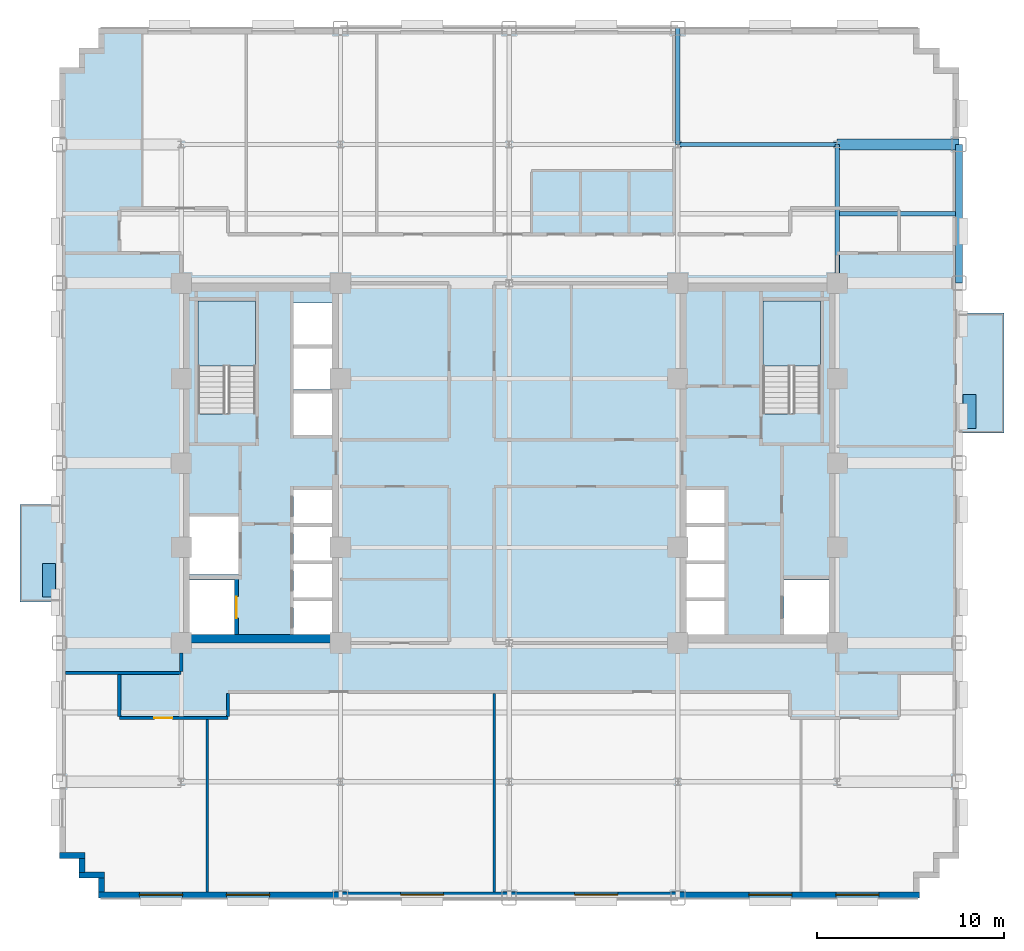
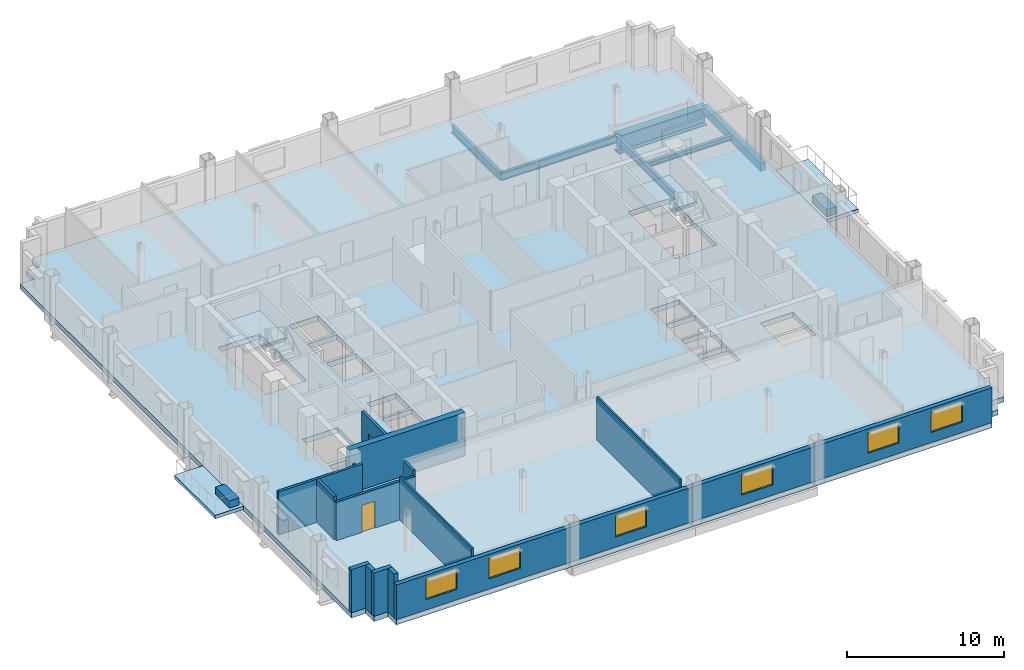
# One storey, part 5 of 15: 14 walls, 6 beams, 6 windows, 5 slabs, 2 doors, 2 plates, 8 openings, 2 elements without a shape of their own.
"""IFC4 building model written with IfcOpenShell, lengths in metres."""

from ifc_helpers import new_model, si_unit, direction, frame, frame_2d, origin, origin_2d, place, context, subcontext, project, spatial, polyline, rectangle, i_section, outline, extrude, source, transform, mapped, material, layer, layer_set, material_profile, profile_set, type_object, type_shapes, element, fill, aggregate, save


model = new_model("IFC4")

# Units and contexts
model_context = context("Model", 3, precision=1e-05, world=origin(), true_north=direction((0.0, 1.0)))
body_context = subcontext(model_context, "Body", "Model", "MODEL_VIEW")
ifc_project = project(units=[si_unit("LENGTHUNIT", "METRE"), si_unit("AREAUNIT", "SQUARE_METRE"), si_unit("VOLUMEUNIT", "CUBIC_METRE"), si_unit("PLANEANGLEUNIT", "RADIAN"), si_unit("MASSUNIT", "GRAM", prefix="KILO")], contexts=[model_context])

# Site, building, storey
site_placement = place(None, origin())
site = spatial("IfcSite", under=ifc_project, at=site_placement, CompositionType="ELEMENT")
building_placement = place(site_placement, origin())
building = spatial("IfcBuilding", under=site, at=building_placement, Name="Nuvemarco Arch Tower", CompositionType="ELEMENT")
storey_placement = place(building_placement, frame((0.0, 0.0, 86.0)))
storey = spatial("IfcBuildingStorey", under=building, at=storey_placement, Name="L22", CompositionType="ELEMENT", Elevation=86.0)

# Beams
ifc_material_1 = material(Name="Steel S355", Category="steel")
ifc_material_profile_1 = material_profile(ifc_material_1, i_section(OverallWidth=0.22998046875, OverallDepth=0.616943359375, WebThickness=0.01318359375, FlangeThickness=0.022216796875, FilletRadius=0.01611328125, at=origin_2d()), Name="W610x140")
ifc_profile_set_1 = profile_set([ifc_material_profile_1], Name="Steel S355")
beam_type_1 = type_object("IfcBeamType", Name="BM-GIRD-610", PredefinedType="BEAM", material=ifc_profile_set_1)
beam_1_placement = place(storey_placement, frame((9.0, 17.0, -0.70849609375), z_axis=(0.0, 1.0, 0.0), x_axis=(-1.0, 0.0, 0.0)))
element("IfcBeam", 1, at=beam_1_placement, inside=storey, type_object=beam_type_1, Name="L22 structural beam BGNS_L22_0_+9.0_+17.0", PredefinedType="BEAM", context=body_context, shape_type="SweptSolid", body=[
    extrude(i_section(OverallWidth=0.22998046875, OverallDepth=0.616943359375, WebThickness=0.01318359375, FlangeThickness=0.022216796875, FilletRadius=0.01611328125, at=origin_2d()), origin(), (0.0, 0.0, 1.0), 6.199951171875),
])
beam_2_placement = place(storey_placement, frame((17.5, 9.60009765625, -0.70849609375), z_axis=(0.0, 1.0, 0.0), x_axis=(-1.0, 0.0, 0.0)))
element("IfcBeam", 2, at=beam_2_placement, inside=storey, type_object=beam_type_1, Name="L22 structural beam BGNS_L22_0_+17.5_+9.6", PredefinedType="BEAM", context=body_context, shape_type="SweptSolid", body=[
    extrude(i_section(OverallWidth=0.22998046875, OverallDepth=0.616943359375, WebThickness=0.01318359375, FlangeThickness=0.022216796875, FilletRadius=0.01611328125, at=origin_2d()), origin(), (0.0, 0.0, 1.0), 7.39990234375),
])
beam_3_placement = place(storey_placement, frame((9.0, 17.0, -0.70849609375), z_axis=(1.0, 0.0, 0.0), x_axis=(0.0, 1.0, 0.0)))
element("IfcBeam", 3, at=beam_3_placement, inside=storey, type_object=beam_type_1, Name="L22 structural beam BGEW_L22_0_+17.0_+9.0", PredefinedType="BEAM", context=body_context, shape_type="SweptSolid", body=[
    extrude(i_section(OverallWidth=0.22998046875, OverallDepth=0.616943359375, WebThickness=0.01318359375, FlangeThickness=0.022216796875, FilletRadius=0.01611328125, at=origin_2d()), origin(), (0.0, 0.0, 1.0), 8.5),
])
ifc_material_profile_2 = material_profile(ifc_material_1, i_section(OverallWidth=0.2548828125, OverallDepth=0.35693359375, WebThickness=0.010498046875, FlangeThickness=0.018310546875, FilletRadius=0.014892578125, at=origin_2d()), Name="W360x101")
ifc_profile_set_2 = profile_set([ifc_material_profile_2], Name="Steel S355")
beam_type_2 = type_object("IfcBeamType", Name="BM-JOIST-360H", PredefinedType="JOIST", material=ifc_profile_set_2)
beam_4_placement = place(storey_placement, frame((17.614990234375, 13.300048828125, -0.57861328125), z_axis=(1.0, 0.0, 0.0), x_axis=(0.0, 1.0, 0.0)))
element("IfcBeam", 4, at=beam_4_placement, inside=storey, type_object=beam_type_2, Name="L22 structural beam BJ_L22_0_+13.3_+17.5", PredefinedType="JOIST", context=body_context, shape_type="SweptSolid", body=[
    extrude(i_section(OverallWidth=0.2548828125, OverallDepth=0.35693359375, WebThickness=0.010498046875, FlangeThickness=0.018310546875, FilletRadius=0.014892578125, at=origin_2d()), origin(), (0.0, 0.0, 1.0), 6.2099609375),
])
ifc_material_2 = material(Name="Precast concrete C45/55", Category="concrete")
ifc_material_profile_3 = material_profile(ifc_material_2, rectangle(XDim=0.35009765625, YDim=0.64990234375, at=origin_2d()), Name="PC-SP-350x650")
ifc_profile_set_3 = profile_set([ifc_material_profile_3], Name="Precast concrete C45/55")
beam_type_3 = type_object("IfcBeamType", Name="BM-SPAN-RC", PredefinedType="SPANDREL", material=ifc_profile_set_3)
beam_5_placement = place(storey_placement, frame((24.0, 9.60009765625, -0.72509765625), z_axis=(0.0, 1.0, 0.0), x_axis=(-1.0, 0.0, 0.0)))
element("IfcBeam", 5, at=beam_5_placement, inside=storey, type_object=beam_type_3, Name="L22 structural beam BGNS_L22_0_+24.0_+9.6", PredefinedType="SPANDREL", context=body_context, shape_type="SweptSolid", body=[
    extrude(rectangle(XDim=0.35009765625, YDim=0.64990234375, at=origin_2d()), origin(), (0.0, 0.0, 1.0), 7.39990234375),
])
ifc_material_3 = material(Name="Steel S460", Category="steel")
ifc_material_profile_4 = material_profile(ifc_material_3, i_section(OverallWidth=0.60009765625, OverallDepth=1.39990234375, WebThickness=0.031982421875, FlangeThickness=0.054931640625, FilletRadius=0.02001953125, at=origin_2d()), Name="PG1400x600")
ifc_profile_set_4 = profile_set([ifc_material_profile_4], Name="Steel S460")
beam_type_4 = type_object("IfcBeamType", Name="BM-TG-CANT2", PredefinedType="BEAM", material=ifc_profile_set_4)
beam_6_placement = place(storey_placement, frame((17.5, 17.0, -1.10009765625), z_axis=(1.0, 0.0, 0.0), x_axis=(0.0, 1.0, 0.0)))
element("IfcBeam", 6, at=beam_6_placement, inside=storey, type_object=beam_type_4, Name="L22 structural beam TG_L22_E_+17.0", PredefinedType="BEAM", context=body_context, shape_type="SweptSolid", body=[
    extrude(i_section(OverallWidth=0.60009765625, OverallDepth=1.39990234375, WebThickness=0.031982421875, FlangeThickness=0.054931640625, FilletRadius=0.02001953125, at=origin_2d()), origin(), (0.0, 0.0, 1.0), 6.5),
])

# Slab
ifc_material_4 = material(Name="Concrete C60/75", Category="concrete")
ifc_layer_1 = layer(ifc_material_4, 0.39990234375, Name="SL-FLR-400")
ifc_layer_set_1 = layer_set([ifc_layer_1], Name="Concrete C60/75")
slab_type_1 = type_object("IfcSlabType", Name="SL-FLR-400", PredefinedType="FLOOR", material=ifc_layer_set_1)
slab_1_placement = place(storey_placement, frame((0.0, 0.0, -0.39990234375)))
element("IfcSlab", 7, at=slab_1_placement, inside=storey, type_object=slab_type_1, Name="L22 structural floor slab", PredefinedType="FLOOR", context=body_context, shape_type="SweptSolid", body=[
    extrude(outline(polyline([(-21.89990234375, -23.199951171875), (21.89990234375, -23.199951171875), (21.89990234375, -22.14990234375), (22.949951171875, -22.14990234375), (22.949951171875, -21.10009765625), (24.0, -21.10009765625), (24.0, 21.10009765625), (22.949951171875, 21.10009765625), (22.949951171875, 22.14990234375), (21.89990234375, 22.14990234375), (21.89990234375, 23.199951171875), (-21.89990234375, 23.199951171875), (-21.89990234375, 22.14990234375), (-22.949951171875, 22.14990234375), (-22.949951171875, 21.10009765625), (-24.0, 21.10009765625), (-24.0, -21.10009765625), (-22.949951171875, -21.10009765625), (-22.949951171875, -22.14990234375), (-21.89990234375, -22.14990234375), (-21.89990234375, -23.199951171875)]), holes=[polyline([(-13.5400390625, 2.669921875), (-13.5400390625, 8.64990234375), (-16.60009765625, 8.64990234375), (-16.60009765625, 2.630615234375), (-15.070068359375, 2.630615234375), (-15.070068359375, 2.669921875), (-13.5400390625, 2.669921875)]), polyline([(16.60009765625, 2.669921875), (16.60009765625, 8.64990234375), (13.5400390625, 8.64990234375), (13.5400390625, 2.630615234375), (15.070068359375, 2.630615234375), (15.070068359375, 2.669921875), (16.60009765625, 2.669921875)]), polyline([(-17.050048828125, -9.14990234375), (-14.64990234375, -9.14990234375), (-14.64990234375, -6.25), (-17.050048828125, -6.25), (-17.050048828125, -9.14990234375)]), polyline([(-17.050048828125, -5.949951171875), (-14.449951171875, -5.949951171875), (-14.449951171875, -2.85009765625), (-17.050048828125, -2.85009765625), (-17.050048828125, -5.949951171875)]), polyline([(-11.5, -9.14990234375), (-9.35009765625, -9.14990234375), (-9.35009765625, -7.3701171875), (-11.5, -7.3701171875), (-11.5, -9.14990234375)]), polyline([(-11.5, -7.169921875), (-9.35009765625, -7.169921875), (-9.35009765625, -5.389892578125), (-11.5, -5.389892578125), (-11.5, -7.169921875)]), polyline([(-11.5, -5.18994140625), (-9.35009765625, -5.18994140625), (-9.35009765625, -3.409912109375), (-11.5, -3.409912109375), (-11.5, -5.18994140625)]), polyline([(-11.5, -3.2099609375), (-9.35009765625, -3.2099609375), (-9.35009765625, -1.429931640625), (-11.5, -1.429931640625), (-11.5, -3.2099609375)]), polyline([(-11.5, 1.5), (-9.35009765625, 1.5), (-9.35009765625, 3.699951171875), (-11.5, 3.699951171875), (-11.5, 1.5)]), polyline([(-11.5, 3.919921875), (-9.35009765625, 3.919921875), (-9.35009765625, 6.1201171875), (-11.5, 6.1201171875), (-11.5, 3.919921875)]), polyline([(-11.5, 6.340087890625), (-9.35009765625, 6.340087890625), (-9.35009765625, 8.5400390625), (-11.5, 8.5400390625), (-11.5, 6.340087890625)]), polyline([(14.64990234375, -9.14990234375), (17.050048828125, -9.14990234375), (17.050048828125, -6.25), (14.64990234375, -6.25), (14.64990234375, -9.14990234375)]), polyline([(9.35009765625, -9.14990234375), (11.5, -9.14990234375), (11.5, -7.3701171875), (9.35009765625, -7.3701171875), (9.35009765625, -9.14990234375)]), polyline([(9.35009765625, -7.169921875), (11.5, -7.169921875), (11.5, -5.389892578125), (9.35009765625, -5.389892578125), (9.35009765625, -7.169921875)]), polyline([(9.35009765625, -5.18994140625), (11.5, -5.18994140625), (11.5, -3.409912109375), (9.35009765625, -3.409912109375), (9.35009765625, -5.18994140625)]), polyline([(9.35009765625, -3.2099609375), (11.5, -3.2099609375), (11.5, -1.429931640625), (9.35009765625, -1.429931640625), (9.35009765625, -3.2099609375)])]), origin(), (0.0, 0.0, 1.0), 0.39990234375),
])

# Stair, slab
stair_type = type_object("IfcStairType", Name="ST-CORE-20R", PredefinedType="HALF_TURN_STAIR", material=ifc_material_2)
stair_1_placement = place(storey_placement, origin())
stair_1 = element("IfcStair", 8, at=stair_1_placement, inside=storey, type_object=stair_type, Name="L22 Protected Exit Stair ST-1", PredefinedType="HALF_TURN_STAIR")
ifc_layer_2 = layer(ifc_material_2, 0.199951171875, Name="SL-LANDING-200")
ifc_layer_set_2 = layer_set([ifc_layer_2], Name="Precast concrete C45/55")
slab_type_2 = type_object("IfcSlabType", Name="SL-LANDING-200", PredefinedType="LANDING", material=ifc_layer_set_2)
slab_2_placement = place(storey_placement, frame((0.0, 0.0, 1.625)))
slab_2 = element("IfcSlab", 9, at=slab_2_placement, type_object=slab_type_2, Name="ST-20R landing 1", PredefinedType="LANDING", context=body_context, shape_type="SweptSolid", body=[
    extrude(outline(polyline([(-13.5400390625, 5.189453125), (-13.5400390625, 8.64990234375), (-16.60009765625, 8.64990234375), (-16.60009765625, 5.169921875), (-15.070068359375, 5.169921875), (-15.070068359375, 5.189453125), (-13.5400390625, 5.189453125)])), origin(), (0.0, 0.0, 1.0), 0.199951171875),
])
aggregate(stair_1, [slab_2])

stair_2_placement = place(storey_placement, origin())
stair_2 = element("IfcStair", 10, at=stair_2_placement, inside=storey, type_object=stair_type, Name="L22 Protected Exit Stair ST-2", PredefinedType="HALF_TURN_STAIR")
slab_3_placement = place(storey_placement, frame((0.0, 0.0, 1.625)))
slab_3 = element("IfcSlab", 11, at=slab_3_placement, type_object=slab_type_2, Name="ST-20R landing 1", PredefinedType="LANDING", context=body_context, shape_type="SweptSolid", body=[
    extrude(outline(polyline([(16.60009765625, 5.189453125), (16.60009765625, 8.64990234375), (13.5400390625, 8.64990234375), (13.5400390625, 5.169921875), (15.070068359375, 5.169921875), (15.070068359375, 5.189453125), (16.60009765625, 5.189453125)])), origin(), (0.0, 0.0, 1.0), 0.199951171875),
])
aggregate(stair_2, [slab_3])

# Slabs
ifc_material_5 = material(Name="Concrete C50/60", Category="concrete")
ifc_layer_3 = layer(ifc_material_5, 0.264892578125, Name="SL-TB1")
ifc_layer_set_3 = layer_set([ifc_layer_3], Name="Concrete C50/60")
slab_type_3 = type_object("IfcSlabType", Name="SL-TB1", PredefinedType="FLOOR", material=ifc_layer_set_3)
slab_4_placement = place(storey_placement, frame((0.0, 0.0, -0.264892578125)))
element("IfcSlab", 12, at=slab_4_placement, inside=storey, type_object=slab_type_3, Name="L22 outdoor tree balcony slab 2", PredefinedType="FLOOR", context=body_context, shape_type="SweptSolid", body=[
    extrude(outline(polyline([(-26.10009765625, -7.39990234375), (-24.0, -7.39990234375), (-24.0, -2.199951171875), (-26.10009765625, -2.199951171875), (-26.10009765625, -7.39990234375)])), origin(), (0.0, 0.0, 1.0), 0.264892578125),
])
ifc_layer_4 = layer(ifc_material_5, 0.294921875, Name="SL-TR4")
ifc_layer_set_4 = layer_set([ifc_layer_4], Name="Concrete C50/60")
slab_type_4 = type_object("IfcSlabType", Name="SL-TR4", PredefinedType="FLOOR", material=ifc_layer_set_4)
slab_5_placement = place(storey_placement, frame((0.0, 0.0, -0.294921875)))
element("IfcSlab", 13, at=slab_5_placement, inside=storey, type_object=slab_type_4, Name="L22 outdoor spiral terrace slab 1", PredefinedType="FLOOR", context=body_context, shape_type="SweptSolid", body=[
    extrude(outline(polyline([(24.0, 1.60009765625), (26.39990234375, 1.60009765625), (26.39990234375, 8.0), (24.0, 8.0), (24.0, 1.60009765625)])), origin(), (0.0, 0.0, 1.0), 0.294921875),
])

# Plates
ifc_layer_5 = layer(ifc_material_2, 0.550048828125, Name="Tree Balcony Structural Planter")
ifc_layer_set_5 = layer_set([ifc_layer_5], Name="Precast concrete C45/55")
plate_type = type_object("IfcPlateType", Name="Tree Balcony Structural Planter", PredefinedType="USERDEFINED", material=ifc_layer_set_5)
shared_shape_1 = source(origin(), body_context, "Body", "SweptSolid", [
    extrude(rectangle(XDim=1.800048828125, YDim=0.699951171875, at=origin_2d()), origin(), (0.0, 0.0, 1.0), 0.550048828125),
])
type_shapes(plate_type, [shared_shape_1])
for number, where, z_axis, x_axis, name in (
    (14, (24.550048828125, 2.75, 0.0), (0.0, 0.0, 1.0), (0.0, 1.0, 0.0), "L22 Tree Balcony Structural Planter"),
    (15, (-24.550048828125, -6.25, 0.0), (0.0, 0.0, 1.0), (0.0, 1.0, 0.0), "L22 Tree Balcony Structural Planter"),
):
    element("IfcPlate", number, at=place(storey_placement, frame(where, z_axis=z_axis, x_axis=x_axis)), inside=storey, type_object=plate_type, Name=name, ObjectType="PLANTER", PredefinedType="USERDEFINED", context=body_context, shape_type="MappedRepresentation", body=[
        mapped(shared_shape_1, transform((0.0, 0.0, 0.0), scale=1.0)),
    ])

# Wall, openings, windows
ifc_layer_6 = layer(ifc_material_2, 0.320068359375, Name="EW-MID-320")
ifc_layer_set_6 = layer_set([ifc_layer_6], Name="Precast concrete C45/55")
wall_type_1 = type_object("IfcWallType", Name="EW-MID-320", PredefinedType="STANDARD", material=ifc_layer_set_6)
wall_1_placement = place(storey_placement, frame((-21.89990234375, -23.0400390625, 0.0), z_axis=(0.0, 0.0, 1.0), x_axis=(1.0, 0.0, 0.0)))
wall_1 = element("IfcWall", 16, at=wall_1_placement, inside=storey, type_object=wall_type_1, Name="L22 exterior precast facade wall 1", PredefinedType="STANDARD", context=body_context, shape_type="SweptSolid", body=[
    extrude(rectangle(XDim=43.7998046875, YDim=0.320068359375, at=frame_2d((21.89990234375, 0.0))), origin(), (0.0, 0.0, 1.0), 2.705078125),
])
opening_1_placement = place(wall_1_placement, frame((2.172119140625, 0.0, 0.800048828125)))
opening_1 = element("IfcOpeningElement", 17, at=opening_1_placement, cuts=wall_1, Name="Opening WN-10", PredefinedType="OPENING", context=body_context, shape_type="SweptSolid", body=[
    extrude(rectangle(XDim=2.300048828125, YDim=1.6201171875, at=frame_2d((1.14990234375, 0.81005859375))), frame((0.0, 0.169921875, 0.0), z_axis=(0.0, -1.0, 0.0), x_axis=(1.0, 0.0, 0.0)), (0.0, 0.0, 1.0), 0.340087890625),
])
opening_2_placement = place(wall_1_placement, frame((6.816650390625, 0.0, 0.800048828125)))
opening_2 = element("IfcOpeningElement", 18, at=opening_2_placement, cuts=wall_1, Name="Opening WN-10", PredefinedType="OPENING", context=body_context, shape_type="SweptSolid", body=[
    extrude(rectangle(XDim=2.300048828125, YDim=1.6201171875, at=frame_2d((1.14990234375, 0.81005859375))), frame((0.0, 0.169921875, 0.0), z_axis=(0.0, -1.0, 0.0), x_axis=(1.0, 0.0, 0.0)), (0.0, 0.0, 1.0), 0.340087890625),
])
opening_3_placement = place(wall_1_placement, frame((16.105712890625, 0.0, 0.800048828125)))
opening_3 = element("IfcOpeningElement", 19, at=opening_3_placement, cuts=wall_1, Name="Opening WN-10", PredefinedType="OPENING", context=body_context, shape_type="SweptSolid", body=[
    extrude(rectangle(XDim=2.300048828125, YDim=1.6201171875, at=frame_2d((1.14990234375, 0.81005859375))), frame((0.0, 0.169921875, 0.0), z_axis=(0.0, -1.0, 0.0), x_axis=(1.0, 0.0, 0.0)), (0.0, 0.0, 1.0), 0.340087890625),
])
opening_4_placement = place(wall_1_placement, frame((25.394287109375, 0.0, 0.800048828125)))
opening_4 = element("IfcOpeningElement", 20, at=opening_4_placement, cuts=wall_1, Name="Opening WN-10", PredefinedType="OPENING", context=body_context, shape_type="SweptSolid", body=[
    extrude(rectangle(XDim=2.300048828125, YDim=1.6201171875, at=frame_2d((1.14990234375, 0.81005859375))), frame((0.0, 0.169921875, 0.0), z_axis=(0.0, -1.0, 0.0), x_axis=(1.0, 0.0, 0.0)), (0.0, 0.0, 1.0), 0.340087890625),
])
opening_5_placement = place(wall_1_placement, frame((34.683349609375, 0.0, 0.800048828125)))
opening_5 = element("IfcOpeningElement", 21, at=opening_5_placement, cuts=wall_1, Name="Opening WN-10", PredefinedType="OPENING", context=body_context, shape_type="SweptSolid", body=[
    extrude(rectangle(XDim=2.300048828125, YDim=1.6201171875, at=frame_2d((1.14990234375, 0.81005859375))), frame((0.0, 0.169921875, 0.0), z_axis=(0.0, -1.0, 0.0), x_axis=(1.0, 0.0, 0.0)), (0.0, 0.0, 1.0), 0.340087890625),
])
opening_6_placement = place(wall_1_placement, frame((39.327880859375, 0.0, 0.800048828125)))
opening_6 = element("IfcOpeningElement", 22, at=opening_6_placement, cuts=wall_1, Name="Opening WN-10", PredefinedType="OPENING", context=body_context, shape_type="SweptSolid", body=[
    extrude(rectangle(XDim=2.300048828125, YDim=1.6201171875, at=frame_2d((1.14990234375, 0.81005859375))), frame((0.0, 0.169921875, 0.0), z_axis=(0.0, -1.0, 0.0), x_axis=(1.0, 0.0, 0.0)), (0.0, 0.0, 1.0), 0.340087890625),
])
ifc_material_6 = material(Name="Insulated solar-control glass", Category="glass")
window_type = type_object("IfcWindowType", Name="WN-STEP-2300x1700", PartitioningType="DOUBLE_PANEL_VERTICAL", PredefinedType="WINDOW", material=ifc_material_6)
shared_shape_2 = source(origin(), body_context, "Body", "SweptSolid", [
    extrude(rectangle(XDim=2.300048828125, YDim=1.6201171875, at=frame_2d((1.14990234375, 0.81005859375))), frame((0.0, 0.030029296875, 0.0), z_axis=(0.0, -1.0, 0.0), x_axis=(1.0, 0.0, 0.0)), (0.0, 0.0, 1.0), 0.06005859375),
])
type_shapes(window_type, [shared_shape_2])
window_1_placement = place(opening_1_placement, origin())
window_1 = element("IfcWindow", 23, at=window_1_placement, inside=storey, type_object=window_type, Name="L22 punched facade window 1", OverallHeight=1.6201171875, OverallWidth=2.300048828125, PartitioningType="SINGLE_PANEL", PredefinedType="WINDOW", context=body_context, shape_type="MappedRepresentation", body=[
    mapped(shared_shape_2, transform((0.0, 0.0, 0.0), scale=1.0)),
])
fill(opening_1, window_1)
window_2_placement = place(opening_2_placement, origin())
window_2 = element("IfcWindow", 24, at=window_2_placement, inside=storey, type_object=window_type, Name="L22 punched facade window 2", OverallHeight=1.6201171875, OverallWidth=2.300048828125, PartitioningType="SINGLE_PANEL", PredefinedType="WINDOW", context=body_context, shape_type="MappedRepresentation", body=[
    mapped(shared_shape_2, transform((0.0, 0.0, 0.0), scale=1.0)),
])
fill(opening_2, window_2)
window_3_placement = place(opening_3_placement, origin())
window_3 = element("IfcWindow", 25, at=window_3_placement, inside=storey, type_object=window_type, Name="L22 punched facade window 4", OverallHeight=1.6201171875, OverallWidth=2.300048828125, PartitioningType="SINGLE_PANEL", PredefinedType="WINDOW", context=body_context, shape_type="MappedRepresentation", body=[
    mapped(shared_shape_2, transform((0.0, 0.0, 0.0), scale=1.0)),
])
fill(opening_3, window_3)
window_4_placement = place(opening_4_placement, origin())
window_4 = element("IfcWindow", 26, at=window_4_placement, inside=storey, type_object=window_type, Name="L22 punched facade window 6", OverallHeight=1.6201171875, OverallWidth=2.300048828125, PartitioningType="SINGLE_PANEL", PredefinedType="WINDOW", context=body_context, shape_type="MappedRepresentation", body=[
    mapped(shared_shape_2, transform((0.0, 0.0, 0.0), scale=1.0)),
])
fill(opening_4, window_4)
window_5_placement = place(opening_5_placement, origin())
window_5 = element("IfcWindow", 27, at=window_5_placement, inside=storey, type_object=window_type, Name="L22 punched facade window 8", OverallHeight=1.6201171875, OverallWidth=2.300048828125, PartitioningType="SINGLE_PANEL", PredefinedType="WINDOW", context=body_context, shape_type="MappedRepresentation", body=[
    mapped(shared_shape_2, transform((0.0, 0.0, 0.0), scale=1.0)),
])
fill(opening_5, window_5)
window_6_placement = place(opening_6_placement, origin())
window_6 = element("IfcWindow", 28, at=window_6_placement, inside=storey, type_object=window_type, Name="L22 punched facade window 9", OverallHeight=1.6201171875, OverallWidth=2.300048828125, PartitioningType="SINGLE_PANEL", PredefinedType="WINDOW", context=body_context, shape_type="MappedRepresentation", body=[
    mapped(shared_shape_2, transform((0.0, 0.0, 0.0), scale=1.0)),
])
fill(opening_6, window_6)

# Walls
wall_2_placement = place(storey_placement, frame((-24.0, -20.93994140625, 0.0), z_axis=(0.0, 0.0, 1.0), x_axis=(1.0, 0.0, 0.0)))
element("IfcWall", 29, at=wall_2_placement, inside=storey, type_object=wall_type_1, Name="L22 exterior precast facade wall 17", PredefinedType="STANDARD", context=body_context, shape_type="SweptSolid", body=[
    extrude(rectangle(XDim=1.3701171875, YDim=0.320068359375, at=frame_2d((0.68505859375, 0.0))), origin(), (0.0, 0.0, 1.0), 3.360107421875),
])
wall_3_placement = place(storey_placement, frame((-22.7900390625, -21.833984375, 0.0), z_axis=(0.0, 0.0, 1.0), x_axis=(0.0, 1.0, 0.0)))
element("IfcWall", 30, at=wall_3_placement, inside=storey, type_object=wall_type_1, Name="L22 exterior precast facade wall 18", PredefinedType="STANDARD", context=body_context, shape_type="SweptSolid", body=[
    extrude(rectangle(XDim=0.738037109375, YDim=0.320068359375, at=frame_2d((0.369140625, 0.0))), origin(), (0.0, 0.0, 1.0), 3.360107421875),
])
wall_4_placement = place(storey_placement, frame((-22.949951171875, -21.989990234375, 0.0), z_axis=(0.0, 0.0, 1.0), x_axis=(1.0, 0.0, 0.0)))
element("IfcWall", 31, at=wall_4_placement, inside=storey, type_object=wall_type_1, Name="L22 exterior precast facade wall 19", PredefinedType="STANDARD", context=body_context, shape_type="SweptSolid", body=[
    extrude(rectangle(XDim=1.369873046875, YDim=0.320068359375, at=frame_2d((0.68505859375, 0.0))), origin(), (0.0, 0.0, 1.0), 3.360107421875),
])
wall_5_placement = place(storey_placement, frame((-21.739990234375, -22.884033203125, 0.0), z_axis=(0.0, 0.0, 1.0), x_axis=(0.0, 1.0, 0.0)))
element("IfcWall", 32, at=wall_5_placement, inside=storey, type_object=wall_type_1, Name="L22 exterior precast facade wall 20", PredefinedType="STANDARD", context=body_context, shape_type="SweptSolid", body=[
    extrude(rectangle(XDim=0.738037109375, YDim=0.320068359375, at=frame_2d((0.369140625, 0.0))), origin(), (0.0, 0.0, 1.0), 3.360107421875),
])
ifc_layer_7 = layer(ifc_material_4, 0.449951171875, Name="WL-CORE-450")
ifc_layer_set_7 = layer_set([ifc_layer_7], Name="Concrete C60/75")
wall_type_2 = type_object("IfcWallType", Name="WL-CORE-450", PredefinedType="SHEAR", material=ifc_layer_set_7)
wall_6_placement = place(storey_placement, frame((-17.5, -9.375, 0.0), z_axis=(0.0, 0.0, 1.0), x_axis=(1.0, 0.0, 0.0)))
element("IfcWall", 33, at=wall_6_placement, inside=storey, type_object=wall_type_2, Name="L22 W-core shear wall S", PredefinedType="SHEAR", context=body_context, shape_type="SweptSolid", body=[
    extrude(rectangle(XDim=8.5, YDim=0.449951171875, at=frame_2d((4.25, 0.0))), origin(), (0.0, 0.0, 1.0), 3.3701171875),
])

# Wall, opening, door
ifc_material_7 = material(Name="Fire-rated gypsum drywall partition")
ifc_layer_8 = layer(ifc_material_7, 0.179931640625, Name="WL-CORR-180")
ifc_layer_set_8 = layer_set([ifc_layer_8], Name="Fire-rated gypsum drywall partition")
wall_type_3 = type_object("IfcWallType", Name="WL-CORR-180", PredefinedType="PARTITIONING", material=ifc_layer_set_8)
wall_7_placement = place(storey_placement, frame((-20.800048828125, -13.60009765625, 0.0), z_axis=(0.0, 0.0, 1.0), x_axis=(1.0, 0.0, 0.0)))
wall_7 = element("IfcWall", 34, at=wall_7_placement, inside=storey, type_object=wall_type_3, Name="L22 interior wall IW-L22-001", PredefinedType="PARTITIONING", context=body_context, shape_type="SweptSolid", body=[
    extrude(rectangle(XDim=5.800048828125, YDim=0.179931640625, at=frame_2d((2.89990234375, 0.0))), origin(), (0.0, 0.0, 1.0), 2.998046875),
])
opening_7_placement = place(wall_7_placement, frame((1.864990234375, 0.0, 0.0)))
opening_7 = element("IfcOpeningElement", 35, at=opening_7_placement, cuts=wall_7, Name="Opening FD-5", PredefinedType="OPENING", context=body_context, shape_type="SweptSolid", body=[
    extrude(rectangle(XDim=0.9599609375, YDim=2.10009765625, at=frame_2d((0.47998046875, 1.050048828125))), frame((0.0, 0.099853515625, 0.0), z_axis=(0.0, -1.0, 0.0), x_axis=(1.0, 0.0, 0.0)), (0.0, 0.0, 1.0), 0.199951171875),
])
ifc_material_8 = material(Name="Timber fire door", Category="wood")
door_type_1 = type_object("IfcDoorType", Name="DR-CORR-FD", OperationType="NOTDEFINED", PredefinedType="DOOR", material=ifc_material_8)
shared_shape_3 = source(origin(), body_context, "Body", "SweptSolid", [
    extrude(rectangle(XDim=0.9599609375, YDim=2.10009765625, at=frame_2d((0.47998046875, 1.050048828125))), frame((0.0, 0.02490234375, 0.0), z_axis=(0.0, -1.0, 0.0), x_axis=(1.0, 0.0, 0.0)), (0.0, 0.0, 1.0), 0.050048828125),
])
type_shapes(door_type_1, [shared_shape_3])
door_1_placement = place(opening_7_placement, origin())
door_1 = element("IfcDoor", 36, at=door_1_placement, inside=storey, type_object=door_type_1, Name="L22 door DR-L22-S_1", OperationType="SINGLE_SWING_RIGHT", OverallHeight=2.10009765625, OverallWidth=0.9599609375, PredefinedType="DOOR", context=body_context, shape_type="MappedRepresentation", body=[
    mapped(shared_shape_3, transform((0.0, 0.0, 0.0), scale=1.0)),
])
fill(opening_7, door_1)

# Walls
wall_8_placement = place(storey_placement, frame((-23.679931640625, -11.199951171875, 0.0), z_axis=(0.0, 0.0, 1.0), x_axis=(1.0, 0.0, 0.0)))
element("IfcWall", 37, at=wall_8_placement, inside=storey, type_object=wall_type_3, Name="L22 interior wall IW-L22-004", PredefinedType="PARTITIONING", context=body_context, shape_type="SweptSolid", body=[
    extrude(rectangle(XDim=6.179931640625, YDim=0.179931640625, at=frame_2d((3.08984375, 0.0))), origin(), (0.0, 0.0, 1.0), 3.360107421875),
])
wall_9_placement = place(storey_placement, frame((-20.800048828125, -13.513916015625, 0.0), z_axis=(0.0, 0.0, 1.0), x_axis=(0.0, 1.0, 0.0)))
element("IfcWall", 38, at=wall_9_placement, inside=storey, type_object=wall_type_3, Name="L22 interior wall IW-L22-025", PredefinedType="PARTITIONING", context=body_context, shape_type="SweptSolid", body=[
    extrude(rectangle(XDim=2.22802734375, YDim=0.179931640625, at=frame_2d((1.114013671875, 0.0))), origin(), (0.0, 0.0, 1.0), 3.360107421875),
])
wall_10_placement = place(storey_placement, frame((-17.5, -11.114013671875, 0.0), z_axis=(0.0, 0.0, 1.0), x_axis=(0.0, 1.0, 0.0)))
element("IfcWall", 39, at=wall_10_placement, inside=storey, type_object=wall_type_3, Name="L22 interior wall IW-L22-028", PredefinedType="PARTITIONING", context=body_context, shape_type="SweptSolid", body=[
    extrude(rectangle(XDim=0.968017578125, YDim=0.179931640625, at=frame_2d((0.48388671875, 0.0))), origin(), (0.0, 0.0, 1.0), 2.738037109375),
])
wall_11_placement = place(storey_placement, frame((-15.0, -13.513916015625, 0.0), z_axis=(0.0, 0.0, 1.0), x_axis=(0.0, 1.0, 0.0)))
element("IfcWall", 40, at=wall_11_placement, inside=storey, type_object=wall_type_3, Name="L22 interior wall IW-L22-031", PredefinedType="PARTITIONING", context=body_context, shape_type="SweptSolid", body=[
    extrude(rectangle(XDim=1.22802734375, YDim=0.179931640625, at=frame_2d((0.614013671875, 0.0))), origin(), (0.0, 0.0, 1.0), 3.360107421875),
])
ifc_material_9 = material(Name="Glazed acoustic office partition")
ifc_layer_9 = layer(ifc_material_9, 0.1298828125, Name="WL-EXEC-130")
ifc_layer_set_9 = layer_set([ifc_layer_9], Name="Glazed acoustic office partition")
wall_type_4 = type_object("IfcWallType", Name="WL-EXEC-130", PredefinedType="PARTITIONING", material=ifc_layer_set_9)
wall_12_placement = place(storey_placement, frame((-16.110107421875, -22.8798828125, 0.0), z_axis=(0.0, 0.0, 1.0), x_axis=(0.0, 1.0, 0.0)))
element("IfcWall", 41, at=wall_12_placement, inside=storey, type_object=wall_type_4, Name="L22 interior wall IW-L22-030", PredefinedType="PARTITIONING", context=body_context, shape_type="SweptSolid", body=[
    extrude(rectangle(XDim=9.19384765625, YDim=0.1298828125, at=frame_2d((4.596923828125, 0.0))), origin(), (0.0, 0.0, 1.0), 3.360107421875),
])
wall_13_placement = place(storey_placement, frame((-0.800048828125, -22.8798828125, 0.0), z_axis=(0.0, 0.0, 1.0), x_axis=(0.0, 1.0, 0.0)))
element("IfcWall", 42, at=wall_13_placement, inside=storey, type_object=wall_type_4, Name="L22 interior wall IW-L22-037", PredefinedType="PARTITIONING", context=body_context, shape_type="SweptSolid", body=[
    extrude(rectangle(XDim=10.593994140625, YDim=0.1298828125, at=frame_2d((5.296875, 0.0))), origin(), (0.0, 0.0, 1.0), 3.360107421875),
])

# Wall, opening, door
ifc_layer_10 = layer(ifc_material_5, 0.199951171875, Name="WL-SHAFT-220")
ifc_layer_set_10 = layer_set([ifc_layer_10], Name="Concrete C50/60")
wall_type_5 = type_object("IfcWallType", Name="WL-SHAFT-220", PredefinedType="SHEAR", material=ifc_layer_set_10)
wall_14_placement = place(storey_placement, frame((-14.550048828125, -9.155029296875, 0.0), z_axis=(0.0, 0.0, 1.0), x_axis=(0.0, 1.0, 0.0)))
wall_14 = element("IfcWall", 43, at=wall_14_placement, inside=storey, type_object=wall_type_5, Name="L22 structural shaft wall SW-L22-W-SHE", PredefinedType="SHEAR", context=body_context, shape_type="SweptSolid", body=[
    extrude(rectangle(XDim=2.9599609375, YDim=0.199951171875, at=frame_2d((1.47998046875, 0.0))), origin(), (0.0, 0.0, 1.0), 3.3701171875),
])
opening_8_placement = place(wall_14_placement, frame((0.8798828125, 0.0, 0.0)))
opening_8 = element("IfcOpeningElement", 44, at=opening_8_placement, cuts=wall_14, Name="Opening LD-2", PredefinedType="OPENING", context=body_context, shape_type="SweptSolid", body=[
    extrude(rectangle(XDim=1.14990234375, YDim=2.14990234375, at=frame_2d((0.574951171875, 1.074951171875))), frame((0.0, 0.10986328125, 0.0), z_axis=(0.0, -1.0, 0.0), x_axis=(1.0, 0.0, 0.0)), (0.0, 0.0, 1.0), 0.219970703125),
])
ifc_material_10 = material(Name="Stainless steel lift door", Category="steel")
door_type_2 = type_object("IfcDoorType", Name="DR-LIFT-FIRE", OperationType="DOUBLE_DOOR_SLIDING", PredefinedType="DOOR", material=ifc_material_10)
shared_shape_4 = source(origin(), body_context, "Body", "SweptSolid", [
    extrude(rectangle(XDim=1.14990234375, YDim=2.14990234375, at=frame_2d((0.574951171875, 1.074951171875))), frame((0.0, 0.02490234375, 0.0), z_axis=(0.0, -1.0, 0.0), x_axis=(1.0, 0.0, 0.0)), (0.0, 0.0, 1.0), 0.050048828125),
])
type_shapes(door_type_2, [shared_shape_4])
door_2_placement = place(opening_8_placement, origin())
door_2 = element("IfcDoor", 45, at=door_2_placement, inside=storey, type_object=door_type_2, Name="L22 Lift landing sliding door FFL-1", OperationType="DOUBLE_DOOR_SLIDING", OverallHeight=2.14990234375, OverallWidth=1.14990234375, PredefinedType="DOOR", context=body_context, shape_type="MappedRepresentation", body=[
    mapped(shared_shape_4, transform((0.0, 0.0, 0.0), scale=1.0)),
])
fill(opening_8, door_2)

save(model, "model.ifc")
